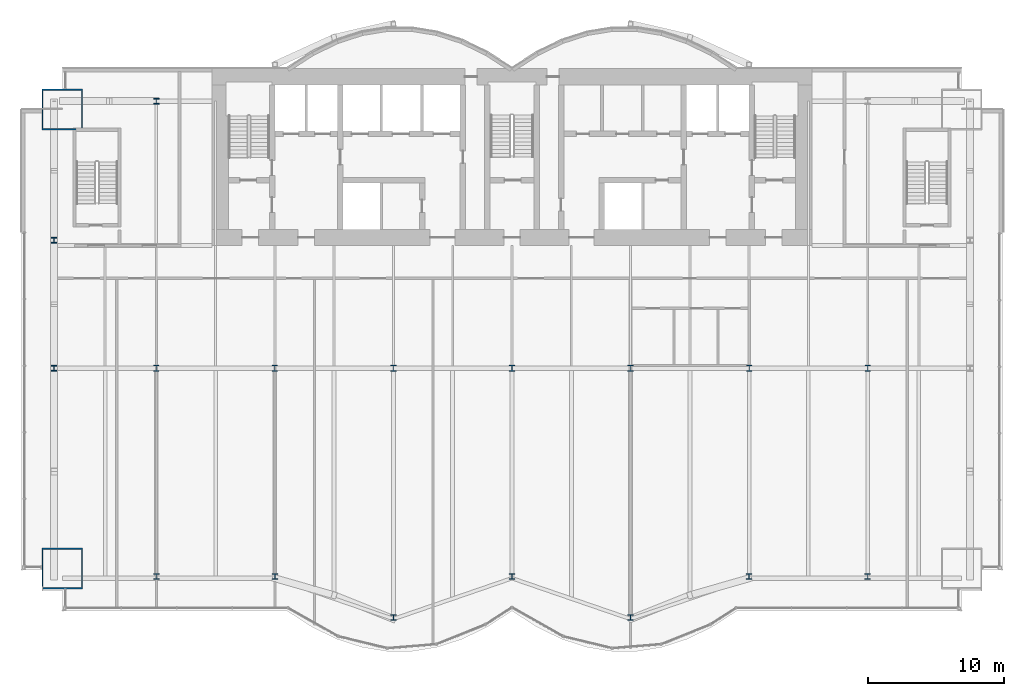
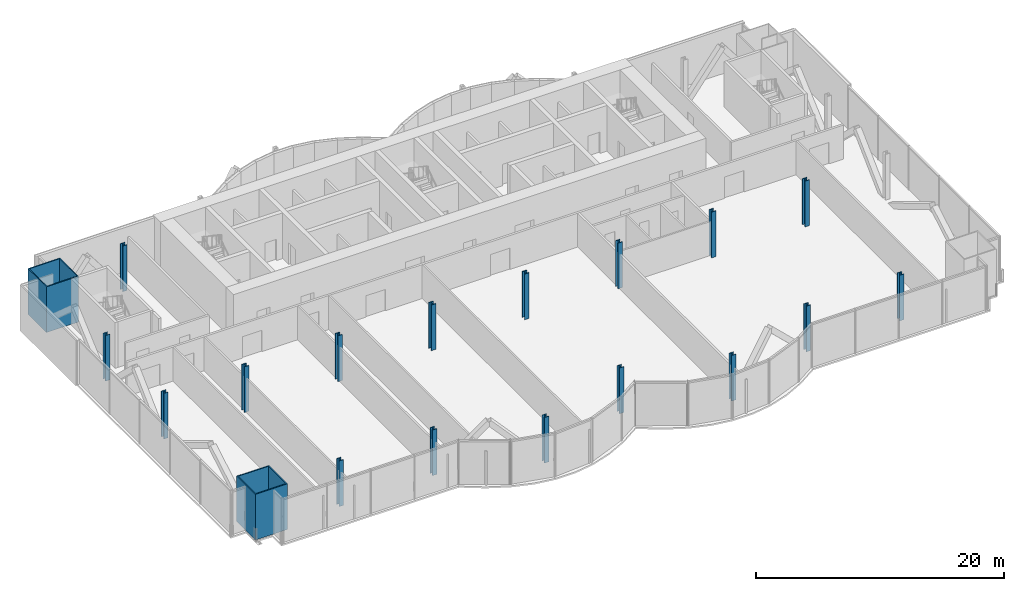
# One storey, part 1 of 21: 19 columns.
"""IFC4 building model written with IfcOpenShell, lengths in metres."""

from ifc_helpers import new_model, si_unit, direction, frame, origin, origin_2d, place, context, subcontext, project, spatial, hollow_rectangle, i_section, extrude, material, material_profile, profile_set, type_object, element, save


model = new_model("IFC4")

# Units and contexts
model_context = context("Model", 3, precision=1e-05, world=origin(), true_north=direction((0.0, 1.0)))
body_context = subcontext(model_context, "Body", "Model", "MODEL_VIEW")
ifc_project = project(units=[si_unit("LENGTHUNIT", "METRE"), si_unit("AREAUNIT", "SQUARE_METRE"), si_unit("VOLUMEUNIT", "CUBIC_METRE"), si_unit("PLANEANGLEUNIT", "RADIAN"), si_unit("MASSUNIT", "GRAM", prefix="KILO")], contexts=[model_context])

# Site, building, storey
site_placement = place(None, origin())
site = spatial("IfcSite", under=ifc_project, at=site_placement, CompositionType="ELEMENT")
building_placement = place(site_placement, origin())
building = spatial("IfcBuilding", under=site, at=building_placement, Name="Bicima Exchange Tower", CompositionType="ELEMENT")
storey_placement = place(building_placement, frame((0.0, 0.0, 75.5)))
storey = spatial("IfcBuildingStorey", under=building, at=storey_placement, Name="L15", CompositionType="ELEMENT", Elevation=75.5)

# Columns
ifc_material_1 = material(Name="Steel ASTM A992 Gr 50", Category="steel")
ifc_material_profile_1 = material_profile(ifc_material_1, i_section(OverallWidth=0.419189453125, OverallDepth=0.45458984375, WebThickness=0.042236328125, FlangeThickness=0.067626953125, at=origin_2d()))
ifc_profile_set_1 = profile_set([ifc_material_profile_1], Name="Steel ASTM A992 Gr 50")
column_type_1 = type_object("IfcColumnType", Name="Interior column W14x370", PredefinedType="COLUMN", material=ifc_profile_set_1)
for number, where, z_axis, x_axis, name in (
    (1, (-26.10009765625, -22.0, 0.0), (0.0, 0.0, 1.0), (1.0, 0.0, 0.0), "Interior column interior-26.1i"),
    (2, (-17.39990234375, -22.0, 0.0), (0.0, 0.0, 1.0), (1.0, 0.0, 0.0), "Interior column interior-17.4i"),
    (3, (-8.699951171875, -22.0, 0.0), (0.0, 0.0, 1.0), (1.0, 0.0, 0.0), "Interior column interior-8.7i"),
    (4, (0.0, -22.0, 0.0), (0.0, 0.0, 1.0), (1.0, 0.0, 0.0), "Interior column interior+0.0i"),
    (5, (8.699951171875, -22.0, 0.0), (0.0, 0.0, 1.0), (1.0, 0.0, 0.0), "Interior column interior+8.7i"),
    (6, (17.39990234375, -22.0, 0.0), (0.0, 0.0, 1.0), (1.0, 0.0, 0.0), "Interior column interior+17.4i"),
    (7, (26.10009765625, -22.0, 0.0), (0.0, 0.0, 1.0), (1.0, 0.0, 0.0), "Interior column interior+26.1i"),
):
    element("IfcColumn", number, at=place(storey_placement, frame(where, z_axis=z_axis, x_axis=x_axis)), inside=storey, type_object=column_type_1, Name=name, PredefinedType="COLUMN", context=body_context, shape_type="SweptSolid", body=[
        extrude(i_section(OverallWidth=0.419189453125, OverallDepth=0.45458984375, WebThickness=0.042236328125, FlangeThickness=0.067626953125, at=origin_2d()), origin(), (0.0, 0.0, 1.0), 4.5),
    ])
ifc_material_2 = material(Name="Steel ASTM A572 Gr 50", Category="steel")
ifc_material_profile_2 = material_profile(ifc_material_2, hollow_rectangle(XDim=3.0, YDim=3.0, WallThickness=0.10009765625, at=origin_2d()))
ifc_profile_set_2 = profile_set([ifc_material_profile_2], Name="Steel ASTM A572 Gr 50")
column_type_2 = type_object("IfcColumnType", Name="Mega column BOX 3000x3000x100", PredefinedType="COLUMN", material=ifc_profile_set_2)
for number, where, z_axis, x_axis, name in (
    (8, (-33.0, -36.681884765625, 0.0), (0.0, 0.0, 1.0), (1.0, 0.0, 0.0), "Mega column mega-33.0f"),
    (9, (-33.0, -3.0, 0.0), (0.0, 0.0, 1.0), (1.0, 0.0, 0.0), "Mega column mega-33.0r"),
):
    element("IfcColumn", number, at=place(storey_placement, frame(where, z_axis=z_axis, x_axis=x_axis)), inside=storey, type_object=column_type_2, Name=name, PredefinedType="COLUMN", context=body_context, shape_type="SweptSolid", body=[
        extrude(hollow_rectangle(XDim=3.0, YDim=3.0, WallThickness=0.10009765625, at=origin_2d()), origin(), (0.0, 0.0, 1.0), 4.5),
    ])
ifc_material_profile_3 = material_profile(ifc_material_1, i_section(OverallWidth=0.406494140625, OverallDepth=0.41650390625, WebThickness=0.030029296875, FlangeThickness=0.048095703125, at=origin_2d()))
ifc_profile_set_3 = profile_set([ifc_material_profile_3], Name="Steel ASTM A992 Gr 50")
column_type_3 = type_object("IfcColumnType", Name="Perimeter column W14x257", PredefinedType="COLUMN", material=ifc_profile_set_3)
for number, where, z_axis, x_axis, name in (
    (10, (-26.10009765625, -37.281982421875, 0.0), (0.0, 0.0, 1.0), (1.0, 0.0, 0.0), "Perimeter column grav-26.1f"),
    (11, (-26.10009765625, -2.39990234375, 0.0), (0.0, 0.0, 1.0), (1.0, 0.0, 0.0), "Perimeter column grav-26.1r"),
    (12, (-17.39990234375, -37.281982421875, 0.0), (0.0, 0.0, 1.0), (1.0, 0.0, 0.0), "Perimeter column grav-17.4f"),
    (13, (-8.699951171875, -40.273193359375, 0.0), (0.0, 0.0, 1.0), (1.0, 0.0, 0.0), "Perimeter column grav-8.7f"),
    (14, (0.0, -37.281982421875, 0.0), (0.0, 0.0, 1.0), (1.0, 0.0, 0.0), "Perimeter column grav-0.0f"),
    (15, (8.699951171875, -40.273193359375, 0.0), (0.0, 0.0, 1.0), (1.0, 0.0, 0.0), "Perimeter column grav+8.7f"),
    (16, (17.39990234375, -37.281982421875, 0.0), (0.0, 0.0, 1.0), (1.0, 0.0, 0.0), "Perimeter column grav+17.4f"),
    (17, (26.10009765625, -37.281982421875, 0.0), (0.0, 0.0, 1.0), (1.0, 0.0, 0.0), "Perimeter column grav+26.1f"),
    (18, (-33.60009765625, -12.60009765625, 0.0), (0.0, 0.0, 1.0), (1.0, 0.0, 0.0), "End column end-33.6e"),
    (19, (-33.60009765625, -22.0, 0.0), (0.0, 0.0, 1.0), (1.0, 0.0, 0.0), "End column end-33.6e"),
):
    element("IfcColumn", number, at=place(storey_placement, frame(where, z_axis=z_axis, x_axis=x_axis)), inside=storey, type_object=column_type_3, Name=name, PredefinedType="COLUMN", context=body_context, shape_type="SweptSolid", body=[
        extrude(i_section(OverallWidth=0.406494140625, OverallDepth=0.41650390625, WebThickness=0.030029296875, FlangeThickness=0.048095703125, at=origin_2d()), origin(), (0.0, 0.0, 1.0), 4.5),
    ])

save(model, "model.ifc")
